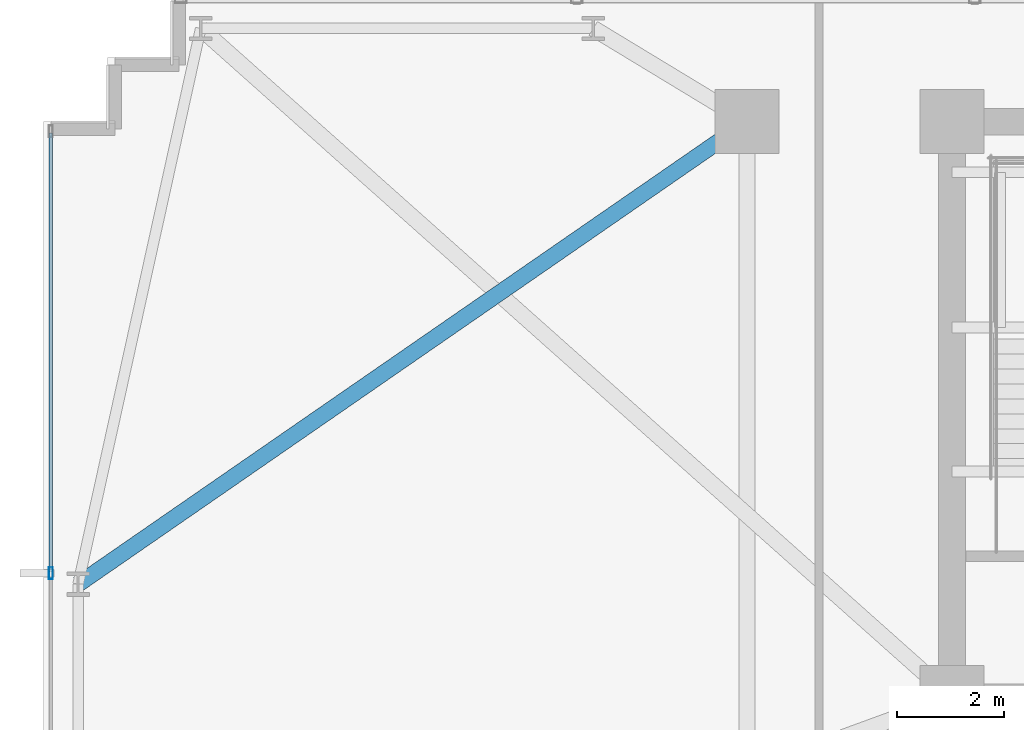
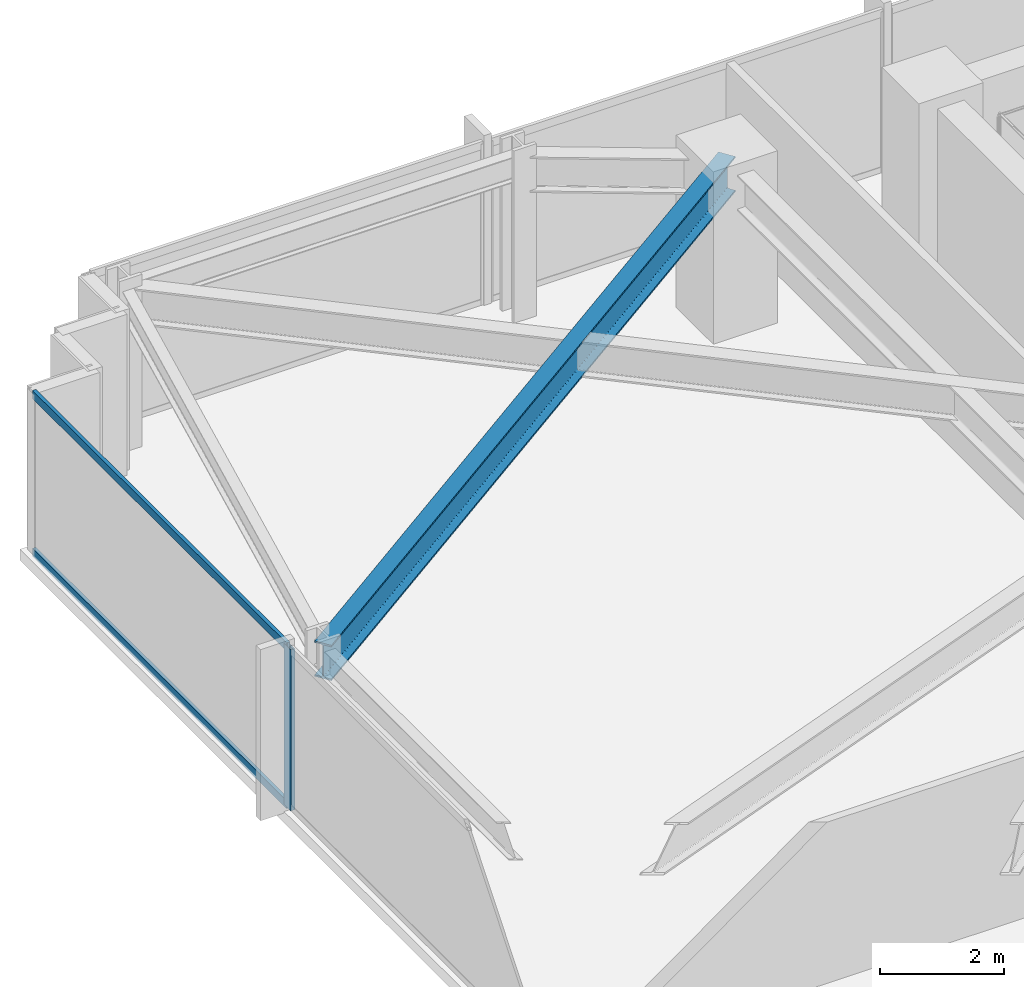
# One storey, part 9 of 32: 3 members, 1 beam, 1 element without a shape of its own.
"""IFC4 building model written with IfcOpenShell, lengths in metres."""

from ifc_helpers import new_model, si_unit, direction, frame, origin, origin_2d, place, context, subcontext, project, spatial, hollow_rectangle, i_section, extrude, material, material_profile, profile_set, type_object, element, aggregate, save


model = new_model("IFC4")

# Units and contexts
model_context = context("Model", 3, precision=1e-05, world=origin(), true_north=direction((0.0, 1.0)))
body_context = subcontext(model_context, "Body", "Model", "MODEL_VIEW")
ifc_project = project(units=[si_unit("LENGTHUNIT", "METRE"), si_unit("AREAUNIT", "SQUARE_METRE"), si_unit("VOLUMEUNIT", "CUBIC_METRE"), si_unit("PLANEANGLEUNIT", "RADIAN"), si_unit("MASSUNIT", "GRAM", prefix="KILO")], contexts=[model_context])

# Site, building, storey
site_placement = place(None, origin())
site = spatial("IfcSite", under=ifc_project, at=site_placement, CompositionType="ELEMENT")
building_placement = place(site_placement, origin())
building = spatial("IfcBuilding", under=site, at=building_placement, Name="Yelkora Congress Tower", CompositionType="ELEMENT")
storey_placement = place(building_placement, frame((0.0, 0.0, 67.800048828125)))
storey = spatial("IfcBuildingStorey", under=building, at=storey_placement, Name="L17", CompositionType="ELEMENT", Elevation=67.800048828125)

# Beam
ifc_material_1 = material(Name="Steel S355J2", Category="steel")
ifc_material_profile_1 = material_profile(ifc_material_1, i_section(OverallWidth=0.300048828125, OverallDepth=0.699951171875, WebThickness=0.01708984375, FlangeThickness=0.031982421875, FilletRadius=0.027099609375, at=origin_2d()), Name="HEB 700")
ifc_profile_set_1 = profile_set([ifc_material_profile_1], Name="Steel S355J2")
beam_type = type_object("IfcBeamType", Name="BM-GIRD-HEB700", PredefinedType="BEAM", material=ifc_profile_set_1)
beam_placement = place(storey_placement, frame((6.64990234375, 37.52490234375, 2.829833984375), z_axis=(0.822604454175, 0.568614027238, 0.0), x_axis=(-0.568614027238, 0.822604454175, 0.0)))
element("IfcBeam", 1, at=beam_placement, inside=storey, type_object=beam_type, Name="L17 Primary Frame Girder W03", PredefinedType="BEAM", context=body_context, shape_type="SweptSolid", body=[
    extrude(i_section(OverallWidth=0.300048828125, OverallDepth=0.699951171875, WebThickness=0.01708984375, FlangeThickness=0.031982421875, FilletRadius=0.027099609375, at=origin_2d()), origin(), (0.0, 0.0, 1.0), 15.256591796875),
])

# Curtain wall, members
ifc_material_2 = material(Name="Anodised aluminium and insulated glass", Category="aluminium")
curtain_wall_type = type_object("IfcCurtainWallType", Name="CW-SYS-B1", PredefinedType="NOTDEFINED", material=ifc_material_2)
curtain_wall_placement = place(storey_placement, origin())
curtain_wall = element("IfcCurtainWall", 2, at=curtain_wall_placement, inside=storey, type_object=curtain_wall_type, Name="L17 Unitised Curtain Wall 5", PredefinedType="NOTDEFINED")
ifc_material_3 = material(Name="Anodised aluminium 6063-T6", Category="aluminium")
ifc_material_profile_2 = material_profile(ifc_material_3, hollow_rectangle(XDim=0.074951171875, YDim=0.219970703125, WallThickness=0.0048828125, at=origin_2d()), Name="ALU 75x220x5")
ifc_profile_set_2 = profile_set([ifc_material_profile_2], Name="Anodised aluminium 6063-T6")
member_type_1 = type_object("IfcMemberType", Name="MEM-ML-B1", PredefinedType="MULLION", material=ifc_profile_set_2)
member_1_placement = place(storey_placement, frame((6.139892578125, 37.72998046875, 0.0), z_axis=(0.0, 0.0, 1.0), x_axis=(-1.0, 0.0, 0.0)))
member_1 = element("IfcMember", 3, at=member_1_placement, type_object=member_type_1, Name="CW-B1 mullion 4", PredefinedType="MULLION", context=body_context, shape_type="SweptSolid", body=[
    extrude(hollow_rectangle(XDim=0.074951171875, YDim=0.219970703125, WallThickness=0.0048828125, at=origin_2d()), origin(), (0.0, 0.0, 1.0), 3.179931640625),
])
ifc_material_profile_3 = material_profile(ifc_material_3, hollow_rectangle(XDim=0.06494140625, YDim=0.159912109375, WallThickness=0.00390625, at=origin_2d()), Name="ALU 65x160x4")
ifc_profile_set_3 = profile_set([ifc_material_profile_3], Name="Anodised aluminium 6063-T6")
member_type_2 = type_object("IfcMemberType", Name="MEM-TR-B1", PredefinedType="USERDEFINED", material=ifc_profile_set_3)
member_2_placement = place(storey_placement, frame((6.139892578125, 37.767578125, 0.032470703125), z_axis=(0.0, 1.0, 0.0), x_axis=(-1.0, 0.0, 0.0)))
member_2 = element("IfcMember", 4, at=member_2_placement, type_object=member_type_2, Name="CW-B1 transom 4.1", ObjectType="TRANSOM", PredefinedType="USERDEFINED", context=body_context, shape_type="SweptSolid", body=[
    extrude(hollow_rectangle(XDim=0.06494140625, YDim=0.159912109375, WallThickness=0.00390625, at=origin_2d()), origin(), (0.0, 0.0, 1.0), 8.217529296875),
])
member_3_placement = place(storey_placement, frame((6.139892578125, 37.767578125, 3.1474609375), z_axis=(0.0, 1.0, 0.0), x_axis=(-1.0, 0.0, 0.0)))
member_3 = element("IfcMember", 5, at=member_3_placement, type_object=member_type_2, Name="CW-B1 transom 4.2", ObjectType="TRANSOM", PredefinedType="USERDEFINED", context=body_context, shape_type="SweptSolid", body=[
    extrude(hollow_rectangle(XDim=0.06494140625, YDim=0.159912109375, WallThickness=0.00390625, at=origin_2d()), origin(), (0.0, 0.0, 1.0), 8.217529296875),
])
aggregate(curtain_wall, [member_1, member_2, member_3])

save(model, "model.ifc")
